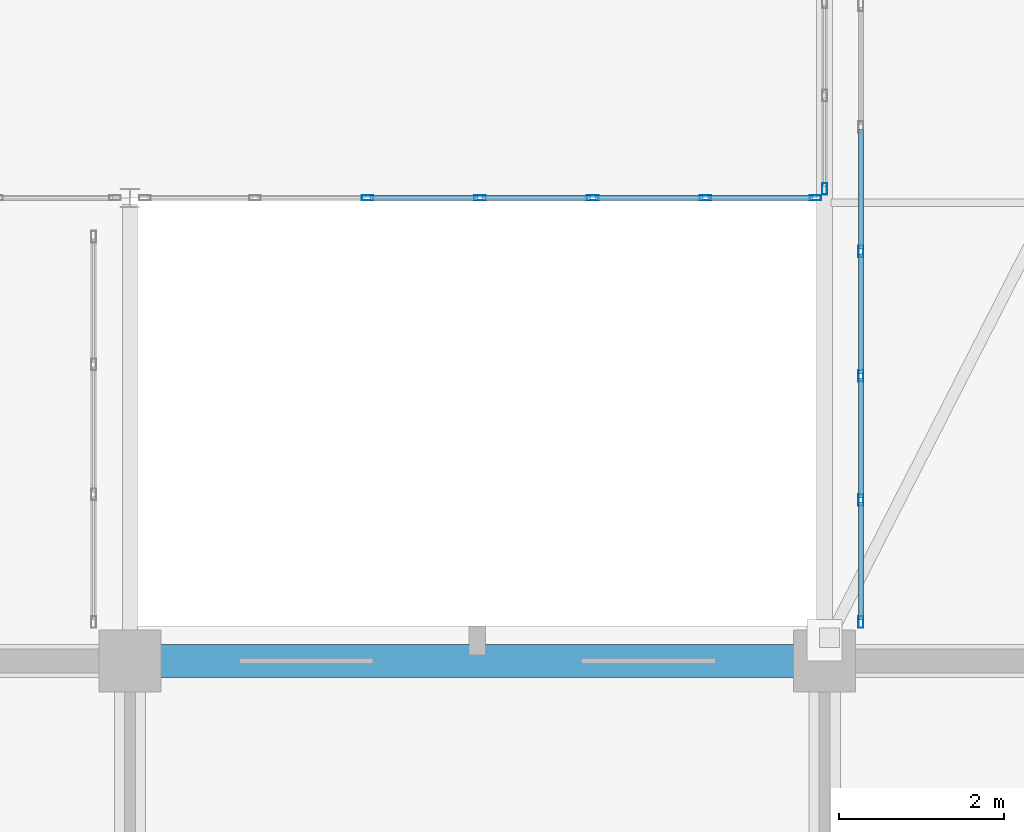
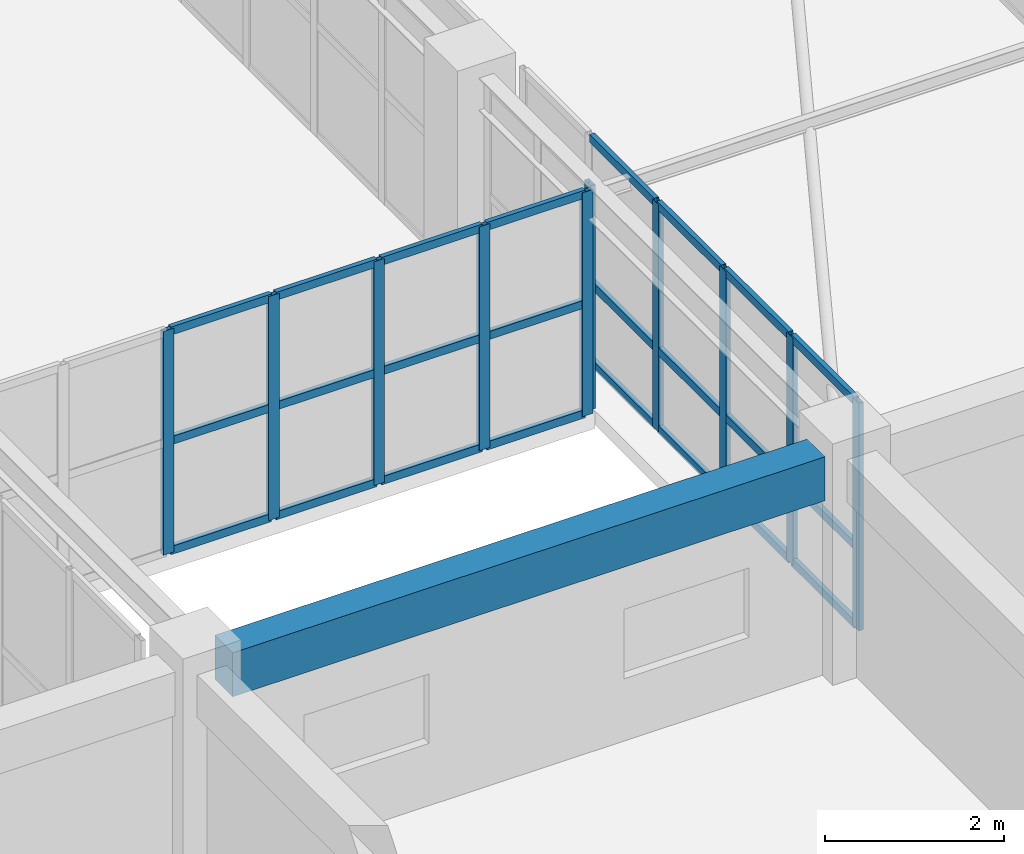
# One storey, part 48 of 200: 34 members, 1 beam, 3 elements without a shape of their own.
"""IFC4 building model written with IfcOpenShell, lengths in metres."""

from ifc_helpers import new_model, si_unit, direction, frame, origin, origin_2d, place, context, subcontext, project, spatial, rectangle, hollow_rectangle, extrude, material, layer, layer_set, material_profile, profile_set, type_object, element, aggregate, save


model = new_model("IFC4")

# Units and contexts
model_context = context("Model", 3, precision=1e-05, world=origin(), true_north=direction((0.0, 1.0)))
body_context = subcontext(model_context, "Body", "Model", "MODEL_VIEW")
ifc_project = project(units=[si_unit("LENGTHUNIT", "METRE"), si_unit("AREAUNIT", "SQUARE_METRE"), si_unit("VOLUMEUNIT", "CUBIC_METRE"), si_unit("PLANEANGLEUNIT", "RADIAN"), si_unit("MASSUNIT", "GRAM", prefix="KILO")], contexts=[model_context])

# Site, building, storey
site_placement = place(None, origin())
site = spatial("IfcSite", under=ifc_project, at=site_placement, CompositionType="ELEMENT")
building_placement = place(site_placement, origin())
building = spatial("IfcBuilding", under=site, at=building_placement, Name="Trelvath General Hospital", CompositionType="ELEMENT")
storey_placement = place(building_placement, frame((0.0, 0.0, 4.800048828125)))
storey = spatial("IfcBuildingStorey", under=building, at=storey_placement, Name="L01", CompositionType="ELEMENT", Elevation=4.800048828125)

# Beam
ifc_material_1 = material(Name="Concrete C35/45", Category="concrete")
ifc_material_profile_1 = material_profile(ifc_material_1, rectangle(XDim=0.39990234375, YDim=0.60009765625, at=origin_2d()), Name="RCB400x600")
ifc_profile_set_1 = profile_set([ifc_material_profile_1], Name="Concrete C35/45")
beam_type = type_object("IfcBeamType", Name="Beam RC400x600", PredefinedType="BEAM", material=ifc_profile_set_1)
beam_placement = place(storey_placement, frame((67.570068359375, 25.199951171875, 2.719970703125), z_axis=(1.0, 0.0, 0.0), x_axis=(0.0, 1.0, 0.0)))
element("IfcBeam", 1, at=beam_placement, inside=storey, type_object=beam_type, Name="Grid Beam BX-108D", PredefinedType="BEAM", context=body_context, shape_type="SweptSolid", body=[
    extrude(rectangle(XDim=0.39990234375, YDim=0.60009765625, at=origin_2d()), origin(), (0.0, 0.0, 1.0), 7.659912109375),
])

# Curtain wall, members
ifc_material_2 = material(Name="Anodised aluminium and low-E glass", Category="aluminium")
ifc_layer_1 = layer(ifc_material_2, 0.14990234375)
ifc_layer_set_1 = layer_set([ifc_layer_1], Name="Anodised aluminium and low-E glass")
curtain_wall_type_1 = type_object("IfcCurtainWallType", Name="CW CrystalCube 817 306 15", PredefinedType="USERDEFINED", material=ifc_layer_set_1)
curtain_wall_1_placement = place(storey_placement, origin())
curtain_wall_1 = element("IfcCurtainWall", 2, at=curtain_wall_1_placement, inside=storey, type_object=curtain_wall_type_1, Name="Crystal Cube Curtain Wall CUBE-W-T0 S5 L01", ObjectType="Unitised Glazed Curtain Wall", PredefinedType="USERDEFINED")
ifc_material_3 = material(Name="Anodised aluminium", Category="aluminium")
ifc_material_profile_2 = material_profile(ifc_material_3, hollow_rectangle(XDim=0.06005859375, YDim=0.139892578125, WallThickness=0.00390625, at=origin_2d()), Name="RHS60x140x4")
ifc_profile_set_2 = profile_set([ifc_material_profile_2], Name="Anodised aluminium")
member_type_1 = type_object("IfcMemberType", Name="CurtainMullion 60x140", PredefinedType="MULLION", material=ifc_profile_set_2)
member_1_placement = place(storey_placement, frame((75.489990234375, 30.800048828125, 0.0), z_axis=(0.0, 0.0, 1.0), x_axis=(0.0, -1.0, 0.0)))
member_1 = element("IfcMember", 3, at=member_1_placement, type_object=member_type_1, Name="CW-132 mullion 1", PredefinedType="MULLION", context=body_context, shape_type="SweptSolid", body=[
    extrude(hollow_rectangle(XDim=0.06005859375, YDim=0.139892578125, WallThickness=0.00390625, at=origin_2d()), origin(), (0.0, 0.0, 1.0), 3.06005859375),
])
member_2_placement = place(storey_placement, frame((74.158447265625, 30.800048828125, 0.0), z_axis=(0.0, 0.0, 1.0), x_axis=(0.0, -1.0, 0.0)))
member_2 = element("IfcMember", 4, at=member_2_placement, type_object=member_type_1, Name="CW-132 mullion 2", PredefinedType="MULLION", context=body_context, shape_type="SweptSolid", body=[
    extrude(hollow_rectangle(XDim=0.06005859375, YDim=0.139892578125, WallThickness=0.00390625, at=origin_2d()), origin(), (0.0, 0.0, 1.0), 3.06005859375),
])
member_3_placement = place(storey_placement, frame((72.796630859375, 30.800048828125, 0.0), z_axis=(0.0, 0.0, 1.0), x_axis=(0.0, -1.0, 0.0)))
member_3 = element("IfcMember", 5, at=member_3_placement, type_object=member_type_1, Name="CW-132 mullion 3", PredefinedType="MULLION", context=body_context, shape_type="SweptSolid", body=[
    extrude(hollow_rectangle(XDim=0.06005859375, YDim=0.139892578125, WallThickness=0.00390625, at=origin_2d()), origin(), (0.0, 0.0, 1.0), 3.06005859375),
])
member_4_placement = place(storey_placement, frame((71.43505859375, 30.800048828125, 0.0), z_axis=(0.0, 0.0, 1.0), x_axis=(0.0, -1.0, 0.0)))
member_4 = element("IfcMember", 6, at=member_4_placement, type_object=member_type_1, Name="CW-132 mullion 4", PredefinedType="MULLION", context=body_context, shape_type="SweptSolid", body=[
    extrude(hollow_rectangle(XDim=0.06005859375, YDim=0.139892578125, WallThickness=0.00390625, at=origin_2d()), origin(), (0.0, 0.0, 1.0), 3.06005859375),
])
member_5_placement = place(storey_placement, frame((70.0732421875, 30.800048828125, 0.0), z_axis=(0.0, 0.0, 1.0), x_axis=(0.0, -1.0, 0.0)))
member_5 = element("IfcMember", 7, at=member_5_placement, type_object=member_type_1, Name="CW-132 mullion 5", PredefinedType="MULLION", context=body_context, shape_type="SweptSolid", body=[
    extrude(hollow_rectangle(XDim=0.06005859375, YDim=0.139892578125, WallThickness=0.00390625, at=origin_2d()), origin(), (0.0, 0.0, 1.0), 3.06005859375),
])

# Curtain wall, member
ifc_material_4 = material(Name="Anodised aluminium and low-E glass", Category="aluminium")
ifc_layer_2 = layer(ifc_material_4, 0.14990234375)
ifc_layer_set_2 = layer_set([ifc_layer_2], Name="Anodised aluminium and low-E glass")
curtain_wall_type_2 = type_object("IfcCurtainWallType", Name="CW CrystalCube 232 306 15", PredefinedType="USERDEFINED", material=ifc_layer_set_2)
curtain_wall_2_placement = place(storey_placement, origin())
curtain_wall_2 = element("IfcCurtainWall", 8, at=curtain_wall_2_placement, inside=storey, type_object=curtain_wall_type_2, Name="Crystal Cube Curtain Wall CUBE-W-T0 E1 L01", ObjectType="Unitised Glazed Curtain Wall", PredefinedType="USERDEFINED")
member_6_placement = place(storey_placement, frame((75.60009765625, 30.909912109375, 0.0), z_axis=(0.0, 0.0, 1.0), x_axis=(1.0, 0.0, 0.0)))
member_6 = element("IfcMember", 9, at=member_6_placement, type_object=member_type_1, Name="CW-139 mullion 3", PredefinedType="MULLION", context=body_context, shape_type="SweptSolid", body=[
    extrude(hollow_rectangle(XDim=0.06005859375, YDim=0.139892578125, WallThickness=0.00390625, at=origin_2d()), origin(), (0.0, 0.0, 1.0), 3.06005859375),
])
aggregate(curtain_wall_2, [member_6])

# Curtain wall, members
ifc_material_5 = material(Name="Anodised aluminium and low-E glass", Category="aluminium")
ifc_layer_3 = layer(ifc_material_5, 0.139892578125)
ifc_layer_set_3 = layer_set([ifc_layer_3], Name="Anodised aluminium and low-E glass")
curtain_wall_type_3 = type_object("IfcCurtainWallType", Name="CW Bridge 752 311", PredefinedType="USERDEFINED", material=ifc_layer_set_3)
curtain_wall_3_placement = place(storey_placement, origin())
curtain_wall_3 = element("IfcCurtainWall", 10, at=curtain_wall_3_placement, inside=storey, type_object=curtain_wall_type_3, Name="Glazed Bridge Curtain Wall BRG-S-C W L01", ObjectType="Unitised Glazed Curtain Wall", PredefinedType="USERDEFINED")
member_7_placement = place(storey_placement, frame((76.0400390625, 25.669921875, 0.0), z_axis=(0.0, 0.0, 1.0), x_axis=(-1.0, 0.0, 0.0)))
member_7 = element("IfcMember", 11, at=member_7_placement, type_object=member_type_1, Name="CW-178 mullion 1", PredefinedType="MULLION", context=body_context, shape_type="SweptSolid", body=[
    extrude(hollow_rectangle(XDim=0.06005859375, YDim=0.139892578125, WallThickness=0.00390625, at=origin_2d()), origin(), (0.0, 0.0, 1.0), 3.10986328125),
])
member_8_placement = place(storey_placement, frame((76.0400390625, 27.14404296875, 0.0), z_axis=(0.0, 0.0, 1.0), x_axis=(-1.0, 0.0, 0.0)))
member_8 = element("IfcMember", 12, at=member_8_placement, type_object=member_type_1, Name="CW-178 mullion 2", PredefinedType="MULLION", context=body_context, shape_type="SweptSolid", body=[
    extrude(hollow_rectangle(XDim=0.06005859375, YDim=0.139892578125, WallThickness=0.00390625, at=origin_2d()), origin(), (0.0, 0.0, 1.0), 3.10986328125),
])
member_9_placement = place(storey_placement, frame((76.0400390625, 28.64794921875, 0.0), z_axis=(0.0, 0.0, 1.0), x_axis=(-1.0, 0.0, 0.0)))
member_9 = element("IfcMember", 13, at=member_9_placement, type_object=member_type_1, Name="CW-178 mullion 3", PredefinedType="MULLION", context=body_context, shape_type="SweptSolid", body=[
    extrude(hollow_rectangle(XDim=0.06005859375, YDim=0.139892578125, WallThickness=0.00390625, at=origin_2d()), origin(), (0.0, 0.0, 1.0), 3.10986328125),
])
member_10_placement = place(storey_placement, frame((76.0400390625, 30.152099609375, 0.0), z_axis=(0.0, 0.0, 1.0), x_axis=(-1.0, 0.0, 0.0)))
member_10 = element("IfcMember", 14, at=member_10_placement, type_object=member_type_1, Name="CW-178 mullion 4", PredefinedType="MULLION", context=body_context, shape_type="SweptSolid", body=[
    extrude(hollow_rectangle(XDim=0.06005859375, YDim=0.139892578125, WallThickness=0.00390625, at=origin_2d()), origin(), (0.0, 0.0, 1.0), 3.10986328125),
])

# Member
ifc_material_6 = material(Name="Anodised aluminium", Category="aluminium")
ifc_material_profile_3 = material_profile(ifc_material_6, hollow_rectangle(XDim=0.06005859375, YDim=0.110107421875, WallThickness=0.00390625, at=origin_2d()), Name="RHS60x110x4")
ifc_profile_set_3 = profile_set([ifc_material_profile_3], Name="Anodised aluminium")
member_type_2 = type_object("IfcMemberType", Name="CurtainTransom 60x110", PredefinedType="USERDEFINED", material=ifc_profile_set_3)
member_11_placement = place(storey_placement, frame((75.4599609375, 30.800048828125, 0.030029296875), z_axis=(-1.0, 0.0, 0.0), x_axis=(0.0, -1.0, 0.0)))
member_11 = element("IfcMember", 15, at=member_11_placement, type_object=member_type_2, Name="CW-132 transom 1.1", ObjectType="TRANSOM", PredefinedType="USERDEFINED", context=body_context, shape_type="SweptSolid", body=[
    extrude(hollow_rectangle(XDim=0.06005859375, YDim=0.110107421875, WallThickness=0.00390625, at=origin_2d()), origin(), (0.0, 0.0, 1.0), 1.271728515625),
])

member_12_placement = place(storey_placement, frame((75.4599609375, 30.800048828125, 1.530029296875), z_axis=(-1.0, 0.0, 0.0), x_axis=(0.0, -1.0, 0.0)))
member_12 = element("IfcMember", 16, at=member_12_placement, type_object=member_type_2, Name="CW-132 transom 1.2", ObjectType="TRANSOM", PredefinedType="USERDEFINED", context=body_context, shape_type="SweptSolid", body=[
    extrude(hollow_rectangle(XDim=0.06005859375, YDim=0.110107421875, WallThickness=0.00390625, at=origin_2d()), origin(), (0.0, 0.0, 1.0), 1.271728515625),
])

member_13_placement = place(storey_placement, frame((75.4599609375, 30.800048828125, 3.030029296875), z_axis=(-1.0, 0.0, 0.0), x_axis=(0.0, -1.0, 0.0)))
member_13 = element("IfcMember", 17, at=member_13_placement, type_object=member_type_2, Name="CW-132 transom 1.3", ObjectType="TRANSOM", PredefinedType="USERDEFINED", context=body_context, shape_type="SweptSolid", body=[
    extrude(hollow_rectangle(XDim=0.06005859375, YDim=0.110107421875, WallThickness=0.00390625, at=origin_2d()), origin(), (0.0, 0.0, 1.0), 1.271728515625),
])

member_14_placement = place(storey_placement, frame((74.12841796875, 30.800048828125, 0.030029296875), z_axis=(-1.0, 0.0, 0.0), x_axis=(0.0, -1.0, 0.0)))
member_14 = element("IfcMember", 18, at=member_14_placement, type_object=member_type_2, Name="CW-132 transom 2.1", ObjectType="TRANSOM", PredefinedType="USERDEFINED", context=body_context, shape_type="SweptSolid", body=[
    extrude(hollow_rectangle(XDim=0.06005859375, YDim=0.110107421875, WallThickness=0.00390625, at=origin_2d()), origin(), (0.0, 0.0, 1.0), 1.3017578125),
])

member_15_placement = place(storey_placement, frame((74.12841796875, 30.800048828125, 1.530029296875), z_axis=(-1.0, 0.0, 0.0), x_axis=(0.0, -1.0, 0.0)))
member_15 = element("IfcMember", 19, at=member_15_placement, type_object=member_type_2, Name="CW-132 transom 2.2", ObjectType="TRANSOM", PredefinedType="USERDEFINED", context=body_context, shape_type="SweptSolid", body=[
    extrude(hollow_rectangle(XDim=0.06005859375, YDim=0.110107421875, WallThickness=0.00390625, at=origin_2d()), origin(), (0.0, 0.0, 1.0), 1.3017578125),
])

member_16_placement = place(storey_placement, frame((74.12841796875, 30.800048828125, 3.030029296875), z_axis=(-1.0, 0.0, 0.0), x_axis=(0.0, -1.0, 0.0)))
member_16 = element("IfcMember", 20, at=member_16_placement, type_object=member_type_2, Name="CW-132 transom 2.3", ObjectType="TRANSOM", PredefinedType="USERDEFINED", context=body_context, shape_type="SweptSolid", body=[
    extrude(hollow_rectangle(XDim=0.06005859375, YDim=0.110107421875, WallThickness=0.00390625, at=origin_2d()), origin(), (0.0, 0.0, 1.0), 1.3017578125),
])

member_17_placement = place(storey_placement, frame((72.7666015625, 30.800048828125, 0.030029296875), z_axis=(-1.0, 0.0, 0.0), x_axis=(0.0, -1.0, 0.0)))
member_17 = element("IfcMember", 21, at=member_17_placement, type_object=member_type_2, Name="CW-132 transom 3.1", ObjectType="TRANSOM", PredefinedType="USERDEFINED", context=body_context, shape_type="SweptSolid", body=[
    extrude(hollow_rectangle(XDim=0.06005859375, YDim=0.110107421875, WallThickness=0.00390625, at=origin_2d()), origin(), (0.0, 0.0, 1.0), 1.301513671875),
])

member_18_placement = place(storey_placement, frame((72.7666015625, 30.800048828125, 1.530029296875), z_axis=(-1.0, 0.0, 0.0), x_axis=(0.0, -1.0, 0.0)))
member_18 = element("IfcMember", 22, at=member_18_placement, type_object=member_type_2, Name="CW-132 transom 3.2", ObjectType="TRANSOM", PredefinedType="USERDEFINED", context=body_context, shape_type="SweptSolid", body=[
    extrude(hollow_rectangle(XDim=0.06005859375, YDim=0.110107421875, WallThickness=0.00390625, at=origin_2d()), origin(), (0.0, 0.0, 1.0), 1.301513671875),
])

member_19_placement = place(storey_placement, frame((72.7666015625, 30.800048828125, 3.030029296875), z_axis=(-1.0, 0.0, 0.0), x_axis=(0.0, -1.0, 0.0)))
member_19 = element("IfcMember", 23, at=member_19_placement, type_object=member_type_2, Name="CW-132 transom 3.3", ObjectType="TRANSOM", PredefinedType="USERDEFINED", context=body_context, shape_type="SweptSolid", body=[
    extrude(hollow_rectangle(XDim=0.06005859375, YDim=0.110107421875, WallThickness=0.00390625, at=origin_2d()), origin(), (0.0, 0.0, 1.0), 1.301513671875),
])

member_20_placement = place(storey_placement, frame((71.405029296875, 30.800048828125, 0.030029296875), z_axis=(-1.0, 0.0, 0.0), x_axis=(0.0, -1.0, 0.0)))
member_20 = element("IfcMember", 24, at=member_20_placement, type_object=member_type_2, Name="CW-132 transom 4.1", ObjectType="TRANSOM", PredefinedType="USERDEFINED", context=body_context, shape_type="SweptSolid", body=[
    extrude(hollow_rectangle(XDim=0.06005859375, YDim=0.110107421875, WallThickness=0.00390625, at=origin_2d()), origin(), (0.0, 0.0, 1.0), 1.3017578125),
])

member_21_placement = place(storey_placement, frame((71.405029296875, 30.800048828125, 1.530029296875), z_axis=(-1.0, 0.0, 0.0), x_axis=(0.0, -1.0, 0.0)))
member_21 = element("IfcMember", 25, at=member_21_placement, type_object=member_type_2, Name="CW-132 transom 4.2", ObjectType="TRANSOM", PredefinedType="USERDEFINED", context=body_context, shape_type="SweptSolid", body=[
    extrude(hollow_rectangle(XDim=0.06005859375, YDim=0.110107421875, WallThickness=0.00390625, at=origin_2d()), origin(), (0.0, 0.0, 1.0), 1.3017578125),
])

member_22_placement = place(storey_placement, frame((71.405029296875, 30.800048828125, 3.030029296875), z_axis=(-1.0, 0.0, 0.0), x_axis=(0.0, -1.0, 0.0)))
member_22 = element("IfcMember", 26, at=member_22_placement, type_object=member_type_2, Name="CW-132 transom 4.3", ObjectType="TRANSOM", PredefinedType="USERDEFINED", context=body_context, shape_type="SweptSolid", body=[
    extrude(hollow_rectangle(XDim=0.06005859375, YDim=0.110107421875, WallThickness=0.00390625, at=origin_2d()), origin(), (0.0, 0.0, 1.0), 1.3017578125),
])

aggregate(curtain_wall_1, [member_1, member_2, member_3, member_4, member_5, member_11, member_12, member_13, member_14, member_15, member_16, member_17, member_18, member_19, member_20, member_21, member_22])

member_23_placement = place(storey_placement, frame((76.0400390625, 25.699951171875, 0.030029296875), z_axis=(0.0, 1.0, 0.0), x_axis=(-1.0, 0.0, 0.0)))
member_23 = element("IfcMember", 27, at=member_23_placement, type_object=member_type_2, Name="CW-178 transom 1.1", ObjectType="TRANSOM", PredefinedType="USERDEFINED", context=body_context, shape_type="SweptSolid", body=[
    extrude(hollow_rectangle(XDim=0.06005859375, YDim=0.110107421875, WallThickness=0.00390625, at=origin_2d()), origin(), (0.0, 0.0, 1.0), 1.4140625),
])

member_24_placement = place(storey_placement, frame((76.0400390625, 25.699951171875, 1.099853515625), z_axis=(0.0, 1.0, 0.0), x_axis=(-1.0, 0.0, 0.0)))
member_24 = element("IfcMember", 28, at=member_24_placement, type_object=member_type_2, Name="CW-178 transom 1.2", ObjectType="TRANSOM", PredefinedType="USERDEFINED", context=body_context, shape_type="SweptSolid", body=[
    extrude(hollow_rectangle(XDim=0.06005859375, YDim=0.110107421875, WallThickness=0.00390625, at=origin_2d()), origin(), (0.0, 0.0, 1.0), 1.4140625),
])

member_25_placement = place(storey_placement, frame((76.0400390625, 25.699951171875, 3.079833984375), z_axis=(0.0, 1.0, 0.0), x_axis=(-1.0, 0.0, 0.0)))
member_25 = element("IfcMember", 29, at=member_25_placement, type_object=member_type_2, Name="CW-178 transom 1.3", ObjectType="TRANSOM", PredefinedType="USERDEFINED", context=body_context, shape_type="SweptSolid", body=[
    extrude(hollow_rectangle(XDim=0.06005859375, YDim=0.110107421875, WallThickness=0.00390625, at=origin_2d()), origin(), (0.0, 0.0, 1.0), 1.4140625),
])

member_26_placement = place(storey_placement, frame((76.0400390625, 27.174072265625, 0.030029296875), z_axis=(0.0, 1.0, 0.0), x_axis=(-1.0, 0.0, 0.0)))
member_26 = element("IfcMember", 30, at=member_26_placement, type_object=member_type_2, Name="CW-178 transom 2.1", ObjectType="TRANSOM", PredefinedType="USERDEFINED", context=body_context, shape_type="SweptSolid", body=[
    extrude(hollow_rectangle(XDim=0.06005859375, YDim=0.110107421875, WallThickness=0.00390625, at=origin_2d()), origin(), (0.0, 0.0, 1.0), 1.44384765625),
])

member_27_placement = place(storey_placement, frame((76.0400390625, 27.174072265625, 1.099853515625), z_axis=(0.0, 1.0, 0.0), x_axis=(-1.0, 0.0, 0.0)))
member_27 = element("IfcMember", 31, at=member_27_placement, type_object=member_type_2, Name="CW-178 transom 2.2", ObjectType="TRANSOM", PredefinedType="USERDEFINED", context=body_context, shape_type="SweptSolid", body=[
    extrude(hollow_rectangle(XDim=0.06005859375, YDim=0.110107421875, WallThickness=0.00390625, at=origin_2d()), origin(), (0.0, 0.0, 1.0), 1.44384765625),
])

member_28_placement = place(storey_placement, frame((76.0400390625, 27.174072265625, 3.079833984375), z_axis=(0.0, 1.0, 0.0), x_axis=(-1.0, 0.0, 0.0)))
member_28 = element("IfcMember", 32, at=member_28_placement, type_object=member_type_2, Name="CW-178 transom 2.3", ObjectType="TRANSOM", PredefinedType="USERDEFINED", context=body_context, shape_type="SweptSolid", body=[
    extrude(hollow_rectangle(XDim=0.06005859375, YDim=0.110107421875, WallThickness=0.00390625, at=origin_2d()), origin(), (0.0, 0.0, 1.0), 1.44384765625),
])

member_29_placement = place(storey_placement, frame((76.0400390625, 28.677978515625, 0.030029296875), z_axis=(0.0, 1.0, 0.0), x_axis=(-1.0, 0.0, 0.0)))
member_29 = element("IfcMember", 33, at=member_29_placement, type_object=member_type_2, Name="CW-178 transom 3.1", ObjectType="TRANSOM", PredefinedType="USERDEFINED", context=body_context, shape_type="SweptSolid", body=[
    extrude(hollow_rectangle(XDim=0.06005859375, YDim=0.110107421875, WallThickness=0.00390625, at=origin_2d()), origin(), (0.0, 0.0, 1.0), 1.444091796875),
])

member_30_placement = place(storey_placement, frame((76.0400390625, 28.677978515625, 1.099853515625), z_axis=(0.0, 1.0, 0.0), x_axis=(-1.0, 0.0, 0.0)))
member_30 = element("IfcMember", 34, at=member_30_placement, type_object=member_type_2, Name="CW-178 transom 3.2", ObjectType="TRANSOM", PredefinedType="USERDEFINED", context=body_context, shape_type="SweptSolid", body=[
    extrude(hollow_rectangle(XDim=0.06005859375, YDim=0.110107421875, WallThickness=0.00390625, at=origin_2d()), origin(), (0.0, 0.0, 1.0), 1.444091796875),
])

member_31_placement = place(storey_placement, frame((76.0400390625, 28.677978515625, 3.079833984375), z_axis=(0.0, 1.0, 0.0), x_axis=(-1.0, 0.0, 0.0)))
member_31 = element("IfcMember", 35, at=member_31_placement, type_object=member_type_2, Name="CW-178 transom 3.3", ObjectType="TRANSOM", PredefinedType="USERDEFINED", context=body_context, shape_type="SweptSolid", body=[
    extrude(hollow_rectangle(XDim=0.06005859375, YDim=0.110107421875, WallThickness=0.00390625, at=origin_2d()), origin(), (0.0, 0.0, 1.0), 1.444091796875),
])

member_32_placement = place(storey_placement, frame((76.0400390625, 30.181884765625, 0.030029296875), z_axis=(0.0, 1.0, 0.0), x_axis=(-1.0, 0.0, 0.0)))
member_32 = element("IfcMember", 36, at=member_32_placement, type_object=member_type_2, Name="CW-178 transom 4.1", ObjectType="TRANSOM", PredefinedType="USERDEFINED", context=body_context, shape_type="SweptSolid", body=[
    extrude(hollow_rectangle(XDim=0.06005859375, YDim=0.110107421875, WallThickness=0.00390625, at=origin_2d()), origin(), (0.0, 0.0, 1.0), 1.444091796875),
])

member_33_placement = place(storey_placement, frame((76.0400390625, 30.181884765625, 1.099853515625), z_axis=(0.0, 1.0, 0.0), x_axis=(-1.0, 0.0, 0.0)))
member_33 = element("IfcMember", 37, at=member_33_placement, type_object=member_type_2, Name="CW-178 transom 4.2", ObjectType="TRANSOM", PredefinedType="USERDEFINED", context=body_context, shape_type="SweptSolid", body=[
    extrude(hollow_rectangle(XDim=0.06005859375, YDim=0.110107421875, WallThickness=0.00390625, at=origin_2d()), origin(), (0.0, 0.0, 1.0), 1.444091796875),
])

member_34_placement = place(storey_placement, frame((76.0400390625, 30.181884765625, 3.079833984375), z_axis=(0.0, 1.0, 0.0), x_axis=(-1.0, 0.0, 0.0)))
member_34 = element("IfcMember", 38, at=member_34_placement, type_object=member_type_2, Name="CW-178 transom 4.3", ObjectType="TRANSOM", PredefinedType="USERDEFINED", context=body_context, shape_type="SweptSolid", body=[
    extrude(hollow_rectangle(XDim=0.06005859375, YDim=0.110107421875, WallThickness=0.00390625, at=origin_2d()), origin(), (0.0, 0.0, 1.0), 1.444091796875),
])

aggregate(curtain_wall_3, [member_7, member_8, member_9, member_10, member_23, member_24, member_25, member_26, member_27, member_28, member_29, member_30, member_31, member_32, member_33, member_34])

save(model, "model.ifc")
